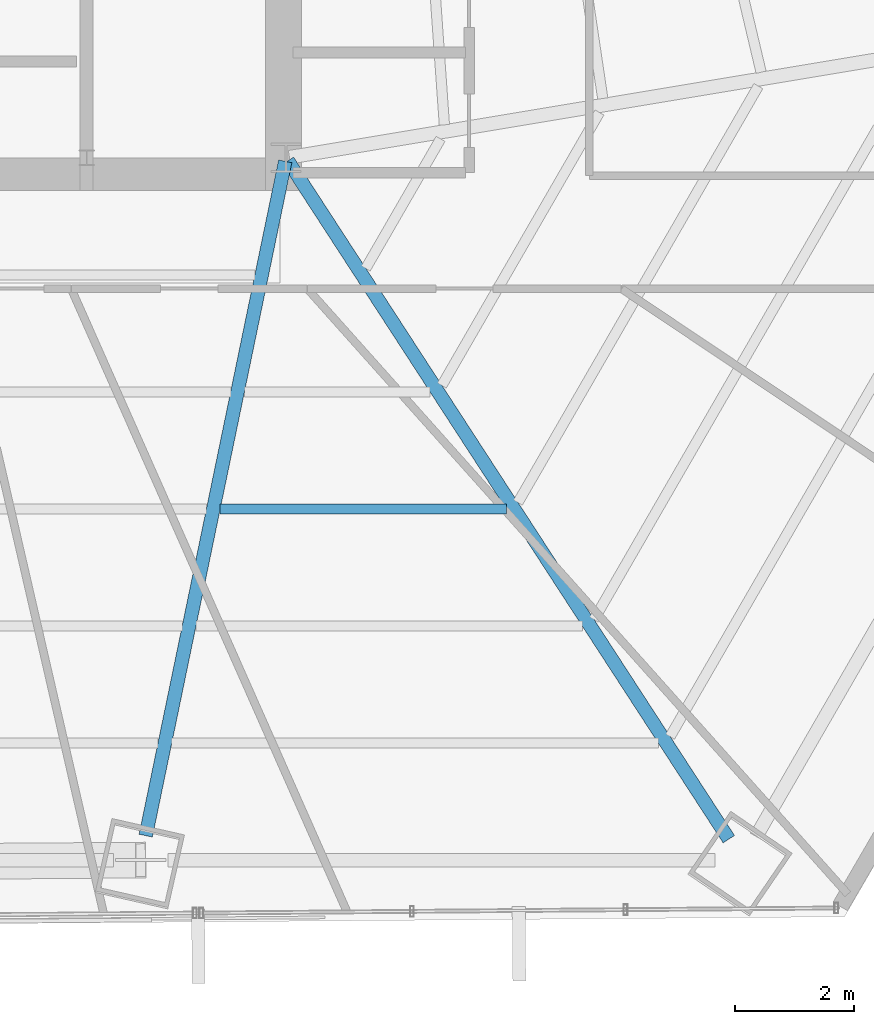
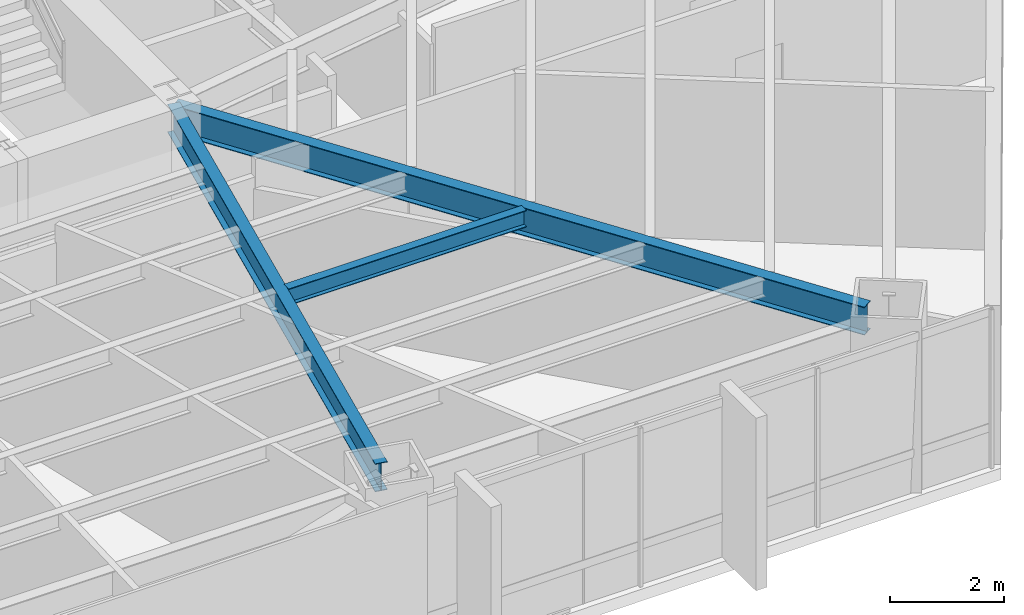
# One storey, part 17 of 36: 3 beams.
"""IFC4 building model written with IfcOpenShell, lengths in metres."""

from ifc_helpers import new_model, si_unit, direction, frame, origin, origin_2d, place, context, subcontext, project, spatial, i_section, extrude, source, transform, mapped, material, material_profile, profile_set, type_object, type_shapes, element, save


model = new_model("IFC4")

# Units and contexts
model_context = context("Model", 3, precision=1e-05, world=origin(), true_north=direction((0.0, 1.0)))
body_context = subcontext(model_context, "Body", "Model", "MODEL_VIEW")
ifc_project = project(units=[si_unit("LENGTHUNIT", "METRE"), si_unit("AREAUNIT", "SQUARE_METRE"), si_unit("VOLUMEUNIT", "CUBIC_METRE"), si_unit("PLANEANGLEUNIT", "RADIAN"), si_unit("MASSUNIT", "GRAM", prefix="KILO")], contexts=[model_context])

# Site, building, storey
site_placement = place(None, origin())
site = spatial("IfcSite", under=ifc_project, at=site_placement, CompositionType="ELEMENT")
building_placement = place(site_placement, origin())
building = spatial("IfcBuilding", under=site, at=building_placement, Name="Caelisora Broadcast Tower", CompositionType="ELEMENT")
storey_placement = place(building_placement, frame((0.0, 0.0, 64.10009765625)))
storey = spatial("IfcBuildingStorey", under=building, at=storey_placement, Name="L16", CompositionType="ELEMENT", Elevation=64.10009765625)

# Beams
ifc_material = material(Name="Steel Grade 350 (AS/NZS 3679.1)", Category="steel")
ifc_material_profile_1 = material_profile(ifc_material, i_section(OverallWidth=0.22802734375, OverallDepth=0.602294921875, WebThickness=0.010498046875, FlangeThickness=0.014892578125, at=origin_2d()), Name="Steel Grade 350 (AS/NZS 3679.1)")
ifc_profile_set_1 = profile_set([ifc_material_profile_1], Name="Steel Grade 350 (AS/NZS 3679.1)")
beam_type_1 = type_object("IfcBeamType", Name="PG04", PredefinedType="BEAM", material=ifc_profile_set_1)
shared_shape_1 = source(origin(), body_context, "Body", "SweptSolid", [
    extrude(i_section(OverallWidth=0.22802734375, OverallDepth=0.602294921875, WebThickness=0.010498046875, FlangeThickness=0.014892578125, at=origin_2d()), origin(), (0.0, 0.0, 1.0), 13.59912109375),
])
beam_1_placement = place(storey_placement, frame((45.53271484375, 17.349609375, 3.098876953125), z_axis=(0.54498898162, -0.838443206134, 0.0), x_axis=(0.838443206134, 0.54498898162, 0.0)))
element("IfcBeam", 1, at=beam_1_placement, inside=storey, type_object=beam_type_1, Name="L16 beam PG04", PredefinedType="BEAM", context=body_context, shape_type="MappedRepresentation", body=[
    mapped(shared_shape_1, transform((0.0, 0.0, 0.0), scale=1.0)),
])
shared_shape_2 = source(origin(), body_context, "Body", "SweptSolid", [
    extrude(i_section(OverallWidth=0.22802734375, OverallDepth=0.602294921875, WebThickness=0.010498046875, FlangeThickness=0.014892578125, at=origin_2d()), origin(), (0.0, 0.0, 1.0), 11.57470703125),
])
type_shapes(beam_type_1, [shared_shape_1, shared_shape_2])
beam_2_placement = place(storey_placement, frame((45.48779296875, 17.34130859375, 3.098876953125), z_axis=(-0.202593746989, -0.979262872614, 0.0), x_axis=(0.979262872614, -0.202593746989, 0.0)))
element("IfcBeam", 2, at=beam_2_placement, inside=storey, type_object=beam_type_1, Name="L16 beam PG04", PredefinedType="BEAM", context=body_context, shape_type="MappedRepresentation", body=[
    mapped(shared_shape_2, transform((0.0, 0.0, 0.0), scale=1.0)),
])
ifc_material_profile_2 = material_profile(ifc_material, i_section(OverallWidth=0.172119140625, OverallDepth=0.358642578125, WebThickness=0.008056640625, FlangeThickness=0.012939453125, at=origin_2d()), Name="Steel Grade 350 (AS/NZS 3679.1)")
ifc_profile_set_2 = profile_set([ifc_material_profile_2], Name="Steel Grade 350 (AS/NZS 3679.1)")
beam_type_2 = type_object("IfcBeamType", Name="SB02", PredefinedType="JOIST", material=ifc_profile_set_2)
shared_shape_3 = source(origin(), body_context, "Body", "SweptSolid", [
    extrude(i_section(OverallWidth=0.172119140625, OverallDepth=0.358642578125, WebThickness=0.008056640625, FlangeThickness=0.012939453125, at=origin_2d()), origin(), (0.0, 0.0, 1.0), 4.8115234375),
])
type_shapes(beam_type_2, [shared_shape_3])
beam_3_placement = place(storey_placement, frame((44.39208984375, 11.497802734375, 3.220703125), z_axis=(1.0, 0.0, 0.0), x_axis=(0.0, 1.0, 0.0)))
element("IfcBeam", 3, at=beam_3_placement, inside=storey, type_object=beam_type_2, Name="L16 beam SB02", PredefinedType="JOIST", context=body_context, shape_type="MappedRepresentation", body=[
    mapped(shared_shape_3, transform((0.0, 0.0, 0.0), scale=1.0)),
])

save(model, "model.ifc")
